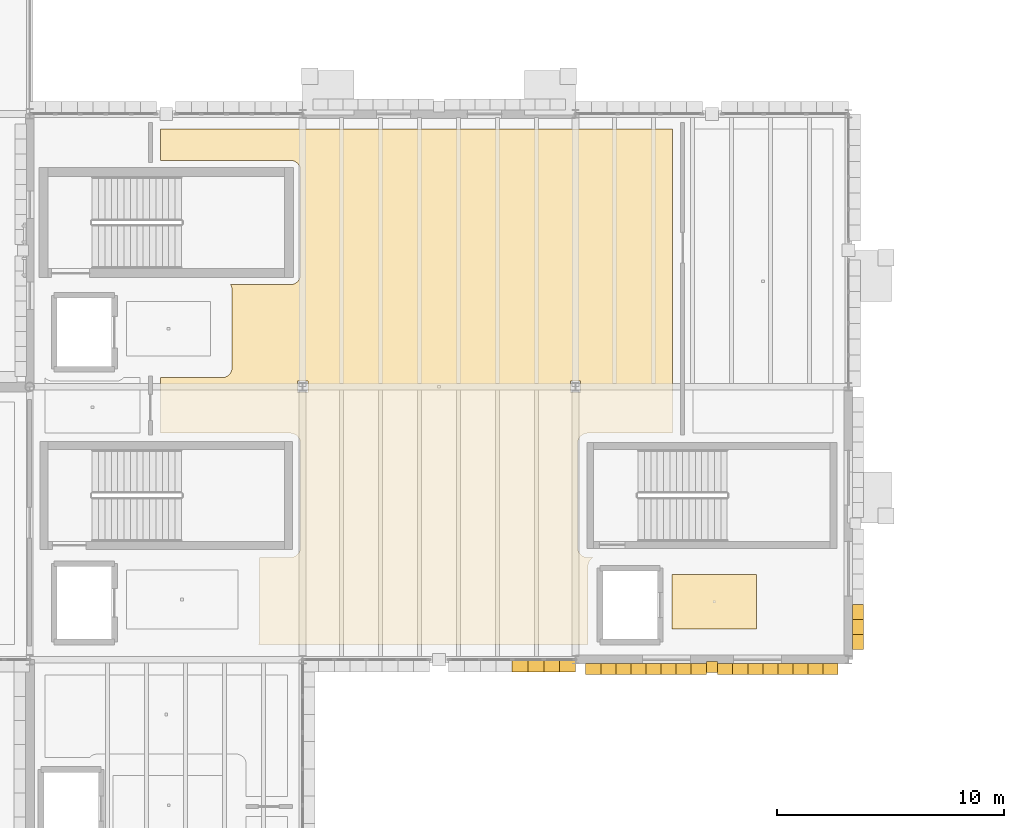
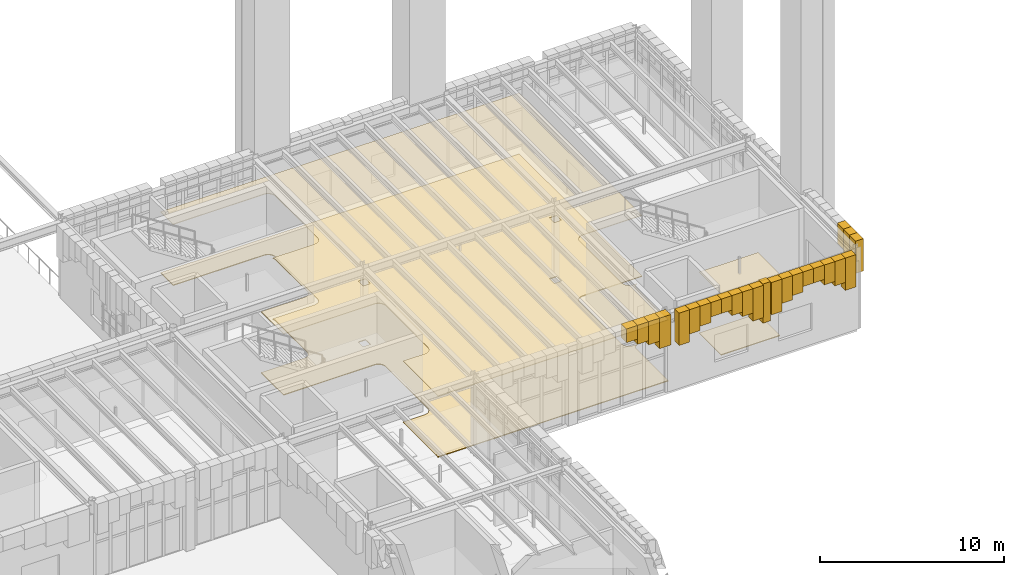
# One storey, part 98 of 103: 28 coverings.
"""IFC4 building model written with IfcOpenShell, lengths in metres."""

from ifc_helpers import new_model, si_unit, direction, frame, origin, place, context, subcontext, project, spatial, polyline, outline, extrude, material, layer, layer_set, type_object, element, save


model = new_model("IFC4")

# Units and contexts
model_context = context("Model", 3, precision=1e-05, world=origin(), true_north=direction((0.0, 1.0)))
body_context = subcontext(model_context, "Body", "Model", "MODEL_VIEW")
ifc_project = project(units=[si_unit("LENGTHUNIT", "METRE"), si_unit("AREAUNIT", "SQUARE_METRE"), si_unit("VOLUMEUNIT", "CUBIC_METRE"), si_unit("PLANEANGLEUNIT", "RADIAN"), si_unit("MASSUNIT", "GRAM", prefix="KILO")], contexts=[model_context])

# Site, building, storey
site_placement = place(None, origin())
site = spatial("IfcSite", under=ifc_project, at=site_placement, CompositionType="ELEMENT")
building_placement = place(site_placement, origin())
building = spatial("IfcBuilding", under=site, at=building_placement, Name="Zlatogorsky Bluff Art Gallery", CompositionType="ELEMENT")
storey_placement = place(building_placement, origin())
storey = spatial("IfcBuildingStorey", under=building, at=storey_placement, Name="L00", CompositionType="ELEMENT", Elevation=0.0)

# Coverings
ifc_material_1 = material(Name="Perforated Gypsum Acoustic Board", Category="gypsum")
ifc_layer_1 = layer(ifc_material_1, 0.0400390625)
ifc_layer_set_1 = layer_set([ifc_layer_1], Name="Acoustic Gallery Ceiling CLG-01")
covering_type_1 = type_object("IfcCoveringType", Name="Acoustic Gallery Ceiling CLG-01", PredefinedType="CEILING", material=ifc_layer_set_1)
covering_1_placement = place(storey_placement, frame((0.0, 0.0, 4.050048828125)))
element("IfcCovering", 1, at=covering_1_placement, inside=storey, type_object=covering_type_1, Name="Lift Lobby PL-2 acoustic ceiling", PredefinedType="CEILING", context=body_context, shape_type="SweptSolid", body=[
    extrude(outline(polyline([(151.949951171875, 87.75), (151.949951171875, 85.35009765625), (148.25, 85.35009765625), (148.25, 87.75), (151.949951171875, 87.75)])), origin(), (0.0, 0.0, 1.0), 0.0400390625),
])
covering_2_placement = place(storey_placement, frame((0.0, 0.0, 4.050048828125)))
element("IfcCovering", 2, at=covering_2_placement, inside=storey, type_object=covering_type_1, Name="Courtyard Artists' Studios acoustic ceiling", PredefinedType="CEILING", context=body_context, shape_type="SweptSolid", body=[
    extrude(outline(polyline([(130.065673828125, 84.677734375), (130.08056640625, 84.719482421875), (130.09130859375, 84.76220703125), (130.097900390625, 84.805908203125), (130.10009765625, 84.85009765625), (130.10009765625, 88.449951171875), (130.097900390625, 88.489990234375), (131.450927734375, 88.489990234375), (131.495361328125, 88.4921875), (131.539306640625, 88.498779296875), (131.540283203125, 88.498779296875), (131.549560546875, 88.5009765625), (131.550537109375, 88.501220703125), (131.59375, 88.512939453125), (131.6357421875, 88.529296875), (131.637451171875, 88.530029296875), (131.673095703125, 88.5478515625), (131.674072265625, 88.54833984375), (131.706298828125, 88.568115234375), (131.73681640625, 88.59033203125), (131.73828125, 88.591552734375), (131.775390625, 88.624755859375), (131.80859375, 88.661865234375), (131.809814453125, 88.663330078125), (131.83203125, 88.693603515625), (131.851806640625, 88.725830078125), (131.852294921875, 88.726806640625), (131.8701171875, 88.762451171875), (131.870361328125, 88.763427734375), (131.870849609375, 88.764404296875), (131.886962890625, 88.80615234375), (131.89892578125, 88.849609375), (131.899169921875, 88.850341796875), (131.901123046875, 88.859619140625), (131.9013671875, 88.860595703125), (131.90771484375, 88.90478515625), (131.909912109375, 88.948974609375), (131.909912109375, 93.5009765625), (131.90771484375, 93.54541015625), (131.9013671875, 93.58935546875), (131.901123046875, 93.59033203125), (131.899169921875, 93.599609375), (131.89892578125, 93.6005859375), (131.886962890625, 93.643798828125), (131.870849609375, 93.685791015625), (131.870361328125, 93.6865234375), (131.8701171875, 93.6875), (131.852294921875, 93.72314453125), (131.851806640625, 93.72412109375), (131.83203125, 93.75634765625), (131.809814453125, 93.78662109375), (131.80859375, 93.7880859375), (131.775390625, 93.8251953125), (131.73828125, 93.8583984375), (131.73681640625, 93.859619140625), (131.706298828125, 93.882080078125), (131.674072265625, 93.901611328125), (131.673095703125, 93.902099609375), (131.637451171875, 93.919921875), (131.63671875, 93.92041015625), (131.6357421875, 93.9208984375), (131.59375, 93.93701171875), (131.550537109375, 93.948974609375), (131.549560546875, 93.94921875), (131.540283203125, 93.951171875), (131.539306640625, 93.951416015625), (131.495361328125, 93.957763671875), (131.450927734375, 93.9599609375), (125.7548828125, 93.9599609375), (125.7548828125, 96.39990234375), (128.449951171875, 96.39990234375), (128.494140625, 96.402099609375), (128.537841796875, 96.40869140625), (128.58056640625, 96.41943359375), (128.622314453125, 96.434326171875), (128.662109375, 96.453125), (128.699951171875, 96.475830078125), (128.735595703125, 96.502197265625), (128.768310546875, 96.53173828125), (128.7978515625, 96.564453125), (128.82421875, 96.60009765625), (128.846923828125, 96.637939453125), (128.86572265625, 96.677734375), (128.880615234375, 96.719482421875), (128.891357421875, 96.76220703125), (128.897705078125, 96.805908203125), (128.89990234375, 96.85009765625), (128.89990234375, 100.25), (128.897705078125, 100.294189453125), (128.891357421875, 100.337890625), (128.880615234375, 100.380615234375), (128.86572265625, 100.422119140625), (128.846923828125, 100.462158203125), (128.830078125, 100.489990234375), (131.450927734375, 100.489990234375), (131.495361328125, 100.4921875), (131.539306640625, 100.498779296875), (131.540283203125, 100.498779296875), (131.549560546875, 100.5009765625), (131.550537109375, 100.501220703125), (131.59375, 100.512939453125), (131.6357421875, 100.529296875), (131.637451171875, 100.530029296875), (131.673095703125, 100.5478515625), (131.674072265625, 100.54833984375), (131.706298828125, 100.568115234375), (131.73681640625, 100.59033203125), (131.73828125, 100.591552734375), (131.775390625, 100.624755859375), (131.80859375, 100.661865234375), (131.809814453125, 100.663330078125), (131.83203125, 100.693603515625), (131.851806640625, 100.725830078125), (131.852294921875, 100.726806640625), (131.8701171875, 100.762451171875), (131.870361328125, 100.763427734375), (131.870849609375, 100.764404296875), (131.886962890625, 100.80615234375), (131.89892578125, 100.849609375), (131.899169921875, 100.850341796875), (131.901123046875, 100.859619140625), (131.9013671875, 100.860595703125), (131.90771484375, 100.90478515625), (131.909912109375, 100.948974609375), (131.909912109375, 105.5009765625), (131.90771484375, 105.54541015625), (131.9013671875, 105.58935546875), (131.901123046875, 105.59033203125), (131.899169921875, 105.599609375), (131.89892578125, 105.6005859375), (131.886962890625, 105.643798828125), (131.870849609375, 105.685791015625), (131.870361328125, 105.6865234375), (131.8701171875, 105.6875), (131.852294921875, 105.72314453125), (131.851806640625, 105.72412109375), (131.83203125, 105.75634765625), (131.809814453125, 105.78662109375), (131.80859375, 105.7880859375), (131.775390625, 105.8251953125), (131.73828125, 105.8583984375), (131.73681640625, 105.859619140625), (131.706298828125, 105.882080078125), (131.674072265625, 105.901611328125), (131.673095703125, 105.902099609375), (131.637451171875, 105.919921875), (131.63671875, 105.92041015625), (131.6357421875, 105.9208984375), (131.59375, 105.93701171875), (131.550537109375, 105.948974609375), (131.549560546875, 105.94921875), (131.540283203125, 105.951171875), (131.539306640625, 105.951416015625), (131.495361328125, 105.957763671875), (131.450927734375, 105.9599609375), (125.7548828125, 105.9599609375), (125.7548828125, 107.330078125), (148.2607421875, 107.330078125), (148.2607421875, 93.9599609375), (144.549072265625, 93.9599609375), (144.504638671875, 93.957763671875), (144.460693359375, 93.951416015625), (144.459716796875, 93.951171875), (144.450439453125, 93.94921875), (144.449462890625, 93.948974609375), (144.40625, 93.93701171875), (144.3642578125, 93.9208984375), (144.36328125, 93.92041015625), (144.362548828125, 93.919921875), (144.326904296875, 93.902099609375), (144.325927734375, 93.901611328125), (144.293701171875, 93.882080078125), (144.26318359375, 93.859619140625), (144.26171875, 93.8583984375), (144.224609375, 93.8251953125), (144.19140625, 93.7880859375), (144.190185546875, 93.78662109375), (144.16796875, 93.75634765625), (144.148193359375, 93.72412109375), (144.147705078125, 93.72314453125), (144.1298828125, 93.6875), (144.129638671875, 93.6865234375), (144.129150390625, 93.685791015625), (144.113037109375, 93.643798828125), (144.10107421875, 93.6005859375), (144.100830078125, 93.599609375), (144.098876953125, 93.59033203125), (144.0986328125, 93.58935546875), (144.09228515625, 93.54541015625), (144.090087890625, 93.5009765625), (144.090087890625, 88.948974609375), (144.09228515625, 88.90478515625), (144.0986328125, 88.860595703125), (144.098876953125, 88.859619140625), (144.100830078125, 88.850341796875), (144.10107421875, 88.849609375), (144.113037109375, 88.80615234375), (144.129150390625, 88.764404296875), (144.129638671875, 88.763427734375), (144.1298828125, 88.762451171875), (144.147705078125, 88.726806640625), (144.148193359375, 88.725830078125), (144.16796875, 88.693603515625), (144.190185546875, 88.663330078125), (144.19140625, 88.661865234375), (144.224609375, 88.624755859375), (144.26171875, 88.591552734375), (144.26318359375, 88.59033203125), (144.293701171875, 88.568115234375), (144.325927734375, 88.54833984375), (144.326904296875, 88.5478515625), (144.362548828125, 88.530029296875), (144.3642578125, 88.529296875), (144.40625, 88.512939453125), (144.449462890625, 88.501220703125), (144.450439453125, 88.5009765625), (144.459716796875, 88.498779296875), (144.460693359375, 88.498779296875), (144.504638671875, 88.4921875), (144.549072265625, 88.489990234375), (144.7763671875, 88.489990234375), (144.75, 88.47412109375), (144.714599609375, 88.447998046875), (144.681884765625, 88.418212890625), (144.652099609375, 88.385498046875), (144.625732421875, 88.35009765625), (144.60302734375, 88.31201171875), (144.584228515625, 88.272216796875), (144.5693359375, 88.230712890625), (144.55859375, 88.187744140625), (144.55224609375, 88.14404296875), (144.550048828125, 88.10009765625), (144.550048828125, 84.699951171875), (144.551513671875, 84.669921875), (130.06201171875, 84.669921875), (130.065673828125, 84.677734375)]), holes=[polyline([(143.77001953125, 95.739990234375), (144.22998046875, 95.739990234375), (144.22998046875, 96.260009765625), (143.77001953125, 96.260009765625), (143.77001953125, 95.739990234375)]), polyline([(131.77001953125, 96.260009765625), (131.77001953125, 95.739990234375), (132.22998046875, 95.739990234375), (132.22998046875, 96.260009765625), (131.77001953125, 96.260009765625)])]), origin(), (0.0, 0.0, 1.0), 0.0400390625),
])
ifc_material_2 = material(Name="Honed Red Agra-Tone Quartzitic Sandstone", Category="masonry")
ifc_layer_2 = layer(ifc_material_2, 0.1201171875)
ifc_layer_set_2 = layer_set([ifc_layer_2], Name="Carved Sandstone Cladding CLD-02")
covering_type_2 = type_object("IfcCoveringType", Name="Carved Sandstone Cladding CLD-02", PredefinedType="CLADDING", material=ifc_layer_set_2)
covering_3_placement = place(storey_placement, frame((0.0, 0.0, 4.45458984375)))
element("IfcCovering", 3, at=covering_3_placement, inside=storey, type_object=covering_type_2, Name="Pointed Mughal arch voussoir spandrel ARCH-CW-L00-S-11-08-B.5", PredefinedType="CLADDING", context=body_context, shape_type="SweptSolid", body=[
    extrude(outline(polyline([(141.2099609375, 83.4599609375), (141.907470703125, 83.4599609375), (141.907470703125, 84.030029296875), (141.2099609375, 84.030029296875), (141.2099609375, 83.4599609375)])), origin(), (0.0, 0.0, 1.0), 0.905517578125),
])
covering_4_placement = place(storey_placement, frame((0.0, 0.0, 4.1064453125)))
element("IfcCovering", 4, at=covering_4_placement, inside=storey, type_object=covering_type_2, Name="Pointed Mughal arch voussoir spandrel ARCH-CW-L00-S-11-08-B.6", PredefinedType="CLADDING", context=body_context, shape_type="SweptSolid", body=[
    extrude(outline(polyline([(141.907470703125, 83.4599609375), (142.60498046875, 83.4599609375), (142.60498046875, 84.030029296875), (141.907470703125, 84.030029296875), (141.907470703125, 83.4599609375)])), origin(), (0.0, 0.0, 1.0), 1.253662109375),
])
covering_5_placement = place(storey_placement, frame((0.0, 0.0, 3.82958984375)))
element("IfcCovering", 5, at=covering_5_placement, inside=storey, type_object=covering_type_2, Name="Pointed Mughal arch voussoir spandrel ARCH-CW-L00-S-11-08-B.7", PredefinedType="CLADDING", context=body_context, shape_type="SweptSolid", body=[
    extrude(outline(polyline([(142.60498046875, 83.4599609375), (143.302490234375, 83.4599609375), (143.302490234375, 84.030029296875), (142.60498046875, 84.030029296875), (142.60498046875, 83.4599609375)])), origin(), (0.0, 0.0, 1.0), 1.530517578125),
])
covering_6_placement = place(storey_placement, frame((0.0, 0.0, 3.327880859375)))
element("IfcCovering", 6, at=covering_6_placement, inside=storey, type_object=covering_type_2, Name="Pointed Mughal arch voussoir spandrel ARCH-CW-L00-S-11-08-B.8", PredefinedType="CLADDING", context=body_context, shape_type="SweptSolid", body=[
    extrude(outline(polyline([(143.302490234375, 83.4599609375), (144.0, 83.4599609375), (144.0, 84.030029296875), (143.302490234375, 84.030029296875), (143.302490234375, 83.4599609375)])), origin(), (0.0, 0.0, 1.0), 2.0322265625),
])
covering_7_placement = place(storey_placement, frame((0.0, 0.0, 2.77001953125)))
element("IfcCovering", 7, at=covering_7_placement, inside=storey, type_object=covering_type_2, Name="Mughal blind-arch sandstone pilaster L00.S.12.8", PredefinedType="CLADDING", context=body_context, shape_type="SweptSolid", body=[
    extrude(outline(polyline([(149.760009765625, 83.43994140625), (150.239990234375, 83.43994140625), (150.239990234375, 83.919921875), (149.760009765625, 83.919921875), (149.760009765625, 83.43994140625)])), origin(), (0.0, 0.0, 1.0), 2.590087890625),
])
covering_8_placement = place(storey_placement, frame((0.0, 0.0, 3.21240234375)))
element("IfcCovering", 8, at=covering_8_placement, inside=storey, type_object=covering_type_2, Name="Pointed Mughal arch voussoir spandrel WARCH-L00-S-12-08-A.1", PredefinedType="CLADDING", context=body_context, shape_type="SweptSolid", body=[
    extrude(outline(polyline([(144.449951171875, 83.340087890625), (145.112548828125, 83.340087890625), (145.112548828125, 83.830078125), (144.449951171875, 83.830078125), (144.449951171875, 83.340087890625)])), origin(), (0.0, 0.0, 1.0), 2.147705078125),
])
covering_9_placement = place(storey_placement, frame((0.0, 0.0, 3.743896484375)))
element("IfcCovering", 9, at=covering_9_placement, inside=storey, type_object=covering_type_2, Name="Pointed Mughal arch voussoir spandrel WARCH-L00-S-12-08-A.2", PredefinedType="CLADDING", context=body_context, shape_type="SweptSolid", body=[
    extrude(outline(polyline([(145.112548828125, 83.340087890625), (145.77490234375, 83.340087890625), (145.77490234375, 83.830078125), (145.112548828125, 83.830078125), (145.112548828125, 83.340087890625)])), origin(), (0.0, 0.0, 1.0), 1.6162109375),
])
covering_10_placement = place(storey_placement, frame((0.0, 0.0, 4.03662109375)))
element("IfcCovering", 10, at=covering_10_placement, inside=storey, type_object=covering_type_2, Name="Pointed Mughal arch voussoir spandrel WARCH-L00-S-12-08-A.3", PredefinedType="CLADDING", context=body_context, shape_type="SweptSolid", body=[
    extrude(outline(polyline([(145.77490234375, 83.340087890625), (146.4375, 83.340087890625), (146.4375, 83.830078125), (145.77490234375, 83.830078125), (145.77490234375, 83.340087890625)])), origin(), (0.0, 0.0, 1.0), 1.323486328125),
])
covering_11_placement = place(storey_placement, frame((0.0, 0.0, 4.405517578125)))
element("IfcCovering", 11, at=covering_11_placement, inside=storey, type_object=covering_type_2, Name="Pointed Mughal arch voussoir spandrel WARCH-L00-S-12-08-A.4", PredefinedType="CLADDING", context=body_context, shape_type="SweptSolid", body=[
    extrude(outline(polyline([(146.4375, 83.340087890625), (147.10009765625, 83.340087890625), (147.10009765625, 83.830078125), (146.4375, 83.830078125), (146.4375, 83.340087890625)])), origin(), (0.0, 0.0, 1.0), 0.95458984375),
])
covering_12_placement = place(storey_placement, frame((0.0, 0.0, 4.405517578125)))
element("IfcCovering", 12, at=covering_12_placement, inside=storey, type_object=covering_type_2, Name="Pointed Mughal arch voussoir spandrel WARCH-L00-S-12-08-A.5", PredefinedType="CLADDING", context=body_context, shape_type="SweptSolid", body=[
    extrude(outline(polyline([(147.10009765625, 83.340087890625), (147.762451171875, 83.340087890625), (147.762451171875, 83.830078125), (147.10009765625, 83.830078125), (147.10009765625, 83.340087890625)])), origin(), (0.0, 0.0, 1.0), 0.95458984375),
])
covering_13_placement = place(storey_placement, frame((0.0, 0.0, 4.03662109375)))
element("IfcCovering", 13, at=covering_13_placement, inside=storey, type_object=covering_type_2, Name="Pointed Mughal arch voussoir spandrel WARCH-L00-S-12-08-A.6", PredefinedType="CLADDING", context=body_context, shape_type="SweptSolid", body=[
    extrude(outline(polyline([(147.762451171875, 83.340087890625), (148.425048828125, 83.340087890625), (148.425048828125, 83.830078125), (147.762451171875, 83.830078125), (147.762451171875, 83.340087890625)])), origin(), (0.0, 0.0, 1.0), 1.323486328125),
])
covering_14_placement = place(storey_placement, frame((0.0, 0.0, 3.743896484375)))
element("IfcCovering", 14, at=covering_14_placement, inside=storey, type_object=covering_type_2, Name="Pointed Mughal arch voussoir spandrel WARCH-L00-S-12-08-A.7", PredefinedType="CLADDING", context=body_context, shape_type="SweptSolid", body=[
    extrude(outline(polyline([(148.425048828125, 83.340087890625), (149.08740234375, 83.340087890625), (149.08740234375, 83.830078125), (148.425048828125, 83.830078125), (148.425048828125, 83.340087890625)])), origin(), (0.0, 0.0, 1.0), 1.6162109375),
])
covering_15_placement = place(storey_placement, frame((0.0, 0.0, 3.21240234375)))
element("IfcCovering", 15, at=covering_15_placement, inside=storey, type_object=covering_type_2, Name="Pointed Mughal arch voussoir spandrel WARCH-L00-S-12-08-A.8", PredefinedType="CLADDING", context=body_context, shape_type="SweptSolid", body=[
    extrude(outline(polyline([(149.08740234375, 83.340087890625), (149.75, 83.340087890625), (149.75, 83.830078125), (149.08740234375, 83.830078125), (149.08740234375, 83.340087890625)])), origin(), (0.0, 0.0, 1.0), 2.147705078125),
])
covering_16_placement = place(storey_placement, frame((0.0, 0.0, 3.21240234375)))
element("IfcCovering", 16, at=covering_16_placement, inside=storey, type_object=covering_type_2, Name="Pointed Mughal arch voussoir spandrel WARCH-L00-S-12-08-B.1", PredefinedType="CLADDING", context=body_context, shape_type="SweptSolid", body=[
    extrude(outline(polyline([(150.25, 83.340087890625), (150.91259765625, 83.340087890625), (150.91259765625, 83.830078125), (150.25, 83.830078125), (150.25, 83.340087890625)])), origin(), (0.0, 0.0, 1.0), 2.147705078125),
])
covering_17_placement = place(storey_placement, frame((0.0, 0.0, 3.743896484375)))
element("IfcCovering", 17, at=covering_17_placement, inside=storey, type_object=covering_type_2, Name="Pointed Mughal arch voussoir spandrel WARCH-L00-S-12-08-B.2", PredefinedType="CLADDING", context=body_context, shape_type="SweptSolid", body=[
    extrude(outline(polyline([(150.91259765625, 83.340087890625), (151.574951171875, 83.340087890625), (151.574951171875, 83.830078125), (150.91259765625, 83.830078125), (150.91259765625, 83.340087890625)])), origin(), (0.0, 0.0, 1.0), 1.6162109375),
])
covering_18_placement = place(storey_placement, frame((0.0, 0.0, 4.03662109375)))
element("IfcCovering", 18, at=covering_18_placement, inside=storey, type_object=covering_type_2, Name="Pointed Mughal arch voussoir spandrel WARCH-L00-S-12-08-B.3", PredefinedType="CLADDING", context=body_context, shape_type="SweptSolid", body=[
    extrude(outline(polyline([(151.574951171875, 83.340087890625), (152.237548828125, 83.340087890625), (152.237548828125, 83.830078125), (151.574951171875, 83.830078125), (151.574951171875, 83.340087890625)])), origin(), (0.0, 0.0, 1.0), 1.323486328125),
])
covering_19_placement = place(storey_placement, frame((0.0, 0.0, 4.405517578125)))
element("IfcCovering", 19, at=covering_19_placement, inside=storey, type_object=covering_type_2, Name="Pointed Mughal arch voussoir spandrel WARCH-L00-S-12-08-B.4", PredefinedType="CLADDING", context=body_context, shape_type="SweptSolid", body=[
    extrude(outline(polyline([(152.237548828125, 83.340087890625), (152.89990234375, 83.340087890625), (152.89990234375, 83.830078125), (152.237548828125, 83.830078125), (152.237548828125, 83.340087890625)])), origin(), (0.0, 0.0, 1.0), 0.95458984375),
])
covering_20_placement = place(storey_placement, frame((0.0, 0.0, 4.405517578125)))
element("IfcCovering", 20, at=covering_20_placement, inside=storey, type_object=covering_type_2, Name="Pointed Mughal arch voussoir spandrel WARCH-L00-S-12-08-B.5", PredefinedType="CLADDING", context=body_context, shape_type="SweptSolid", body=[
    extrude(outline(polyline([(152.89990234375, 83.340087890625), (153.5625, 83.340087890625), (153.5625, 83.830078125), (152.89990234375, 83.830078125), (152.89990234375, 83.340087890625)])), origin(), (0.0, 0.0, 1.0), 0.95458984375),
])
covering_21_placement = place(storey_placement, frame((0.0, 0.0, 4.03662109375)))
element("IfcCovering", 21, at=covering_21_placement, inside=storey, type_object=covering_type_2, Name="Pointed Mughal arch voussoir spandrel WARCH-L00-S-12-08-B.6", PredefinedType="CLADDING", context=body_context, shape_type="SweptSolid", body=[
    extrude(outline(polyline([(153.5625, 83.340087890625), (154.22509765625, 83.340087890625), (154.22509765625, 83.830078125), (153.5625, 83.830078125), (153.5625, 83.340087890625)])), origin(), (0.0, 0.0, 1.0), 1.323486328125),
])
covering_22_placement = place(storey_placement, frame((0.0, 0.0, 3.743896484375)))
element("IfcCovering", 22, at=covering_22_placement, inside=storey, type_object=covering_type_2, Name="Pointed Mughal arch voussoir spandrel WARCH-L00-S-12-08-B.7", PredefinedType="CLADDING", context=body_context, shape_type="SweptSolid", body=[
    extrude(outline(polyline([(154.22509765625, 83.340087890625), (154.887451171875, 83.340087890625), (154.887451171875, 83.830078125), (154.22509765625, 83.830078125), (154.22509765625, 83.340087890625)])), origin(), (0.0, 0.0, 1.0), 1.6162109375),
])
covering_23_placement = place(storey_placement, frame((0.0, 0.0, 3.21240234375)))
element("IfcCovering", 23, at=covering_23_placement, inside=storey, type_object=covering_type_2, Name="Pointed Mughal arch voussoir spandrel WARCH-L00-S-12-08-B.8", PredefinedType="CLADDING", context=body_context, shape_type="SweptSolid", body=[
    extrude(outline(polyline([(154.887451171875, 83.340087890625), (155.550048828125, 83.340087890625), (155.550048828125, 83.830078125), (154.887451171875, 83.830078125), (154.887451171875, 83.340087890625)])), origin(), (0.0, 0.0, 1.0), 2.147705078125),
])
covering_24_placement = place(storey_placement, frame((0.0, 0.0, 3.21240234375)))
element("IfcCovering", 24, at=covering_24_placement, inside=storey, type_object=covering_type_2, Name="Pointed Mughal arch voussoir spandrel WARCH-L00-E-12-08-A.1", PredefinedType="CLADDING", context=body_context, shape_type="SweptSolid", body=[
    extrude(outline(polyline([(156.169921875, 84.449951171875), (156.169921875, 85.112548828125), (156.659912109375, 85.112548828125), (156.659912109375, 84.449951171875), (156.169921875, 84.449951171875)])), origin(), (0.0, 0.0, 1.0), 2.147705078125),
])
covering_25_placement = place(storey_placement, frame((0.0, 0.0, 3.743896484375)))
element("IfcCovering", 25, at=covering_25_placement, inside=storey, type_object=covering_type_2, Name="Pointed Mughal arch voussoir spandrel WARCH-L00-E-12-08-A.2", PredefinedType="CLADDING", context=body_context, shape_type="SweptSolid", body=[
    extrude(outline(polyline([(156.169921875, 85.112548828125), (156.169921875, 85.77490234375), (156.659912109375, 85.77490234375), (156.659912109375, 85.112548828125), (156.169921875, 85.112548828125)])), origin(), (0.0, 0.0, 1.0), 1.6162109375),
])
covering_26_placement = place(storey_placement, frame((0.0, 0.0, 4.03662109375)))
element("IfcCovering", 26, at=covering_26_placement, inside=storey, type_object=covering_type_2, Name="Pointed Mughal arch voussoir spandrel WARCH-L00-E-12-08-A.3", PredefinedType="CLADDING", context=body_context, shape_type="SweptSolid", body=[
    extrude(outline(polyline([(156.169921875, 85.77490234375), (156.169921875, 86.4375), (156.659912109375, 86.4375), (156.659912109375, 85.77490234375), (156.169921875, 85.77490234375)])), origin(), (0.0, 0.0, 1.0), 1.323486328125),
])
ifc_material_3 = material(Name="Polished Ural Marble Terrazzo", Category="masonry")
ifc_layer_3 = layer(ifc_material_3, 0.050048828125)
ifc_layer_set_3 = layer_set([ifc_layer_3], Name="Terrazzo Gallery Flooring FLR-01")
covering_type_3 = type_object("IfcCoveringType", Name="Terrazzo Gallery Flooring FLR-01", PredefinedType="FLOORING", material=ifc_layer_set_3)
covering_27_placement = place(storey_placement, origin())
element("IfcCovering", 27, at=covering_27_placement, inside=storey, type_object=covering_type_3, Name="Lift Lobby PL-2 terrazzo floor finish", PredefinedType="FLOORING", context=body_context, shape_type="SweptSolid", body=[
    extrude(outline(polyline([(151.949951171875, 87.75), (151.949951171875, 85.35009765625), (148.25, 85.35009765625), (148.25, 87.75), (151.949951171875, 87.75)])), origin(), (0.0, 0.0, 1.0), 0.050048828125),
])
covering_28_placement = place(storey_placement, origin())
element("IfcCovering", 28, at=covering_28_placement, inside=storey, type_object=covering_type_3, Name="Courtyard Artists' Studios terrazzo floor finish", PredefinedType="FLOORING", context=body_context, shape_type="SweptSolid", body=[
    extrude(outline(polyline([(130.065673828125, 84.677734375), (130.08056640625, 84.719482421875), (130.09130859375, 84.76220703125), (130.097900390625, 84.805908203125), (130.10009765625, 84.85009765625), (130.10009765625, 88.449951171875), (130.097900390625, 88.489990234375), (131.450927734375, 88.489990234375), (131.495361328125, 88.4921875), (131.539306640625, 88.498779296875), (131.540283203125, 88.498779296875), (131.549560546875, 88.5009765625), (131.550537109375, 88.501220703125), (131.59375, 88.512939453125), (131.6357421875, 88.529296875), (131.637451171875, 88.530029296875), (131.673095703125, 88.5478515625), (131.674072265625, 88.54833984375), (131.706298828125, 88.568115234375), (131.73681640625, 88.59033203125), (131.73828125, 88.591552734375), (131.775390625, 88.624755859375), (131.80859375, 88.661865234375), (131.809814453125, 88.663330078125), (131.83203125, 88.693603515625), (131.851806640625, 88.725830078125), (131.852294921875, 88.726806640625), (131.8701171875, 88.762451171875), (131.870361328125, 88.763427734375), (131.870849609375, 88.764404296875), (131.886962890625, 88.80615234375), (131.89892578125, 88.849609375), (131.899169921875, 88.850341796875), (131.901123046875, 88.859619140625), (131.9013671875, 88.860595703125), (131.90771484375, 88.90478515625), (131.909912109375, 88.948974609375), (131.909912109375, 93.5009765625), (131.90771484375, 93.54541015625), (131.9013671875, 93.58935546875), (131.901123046875, 93.59033203125), (131.899169921875, 93.599609375), (131.89892578125, 93.6005859375), (131.886962890625, 93.643798828125), (131.870849609375, 93.685791015625), (131.870361328125, 93.6865234375), (131.8701171875, 93.6875), (131.852294921875, 93.72314453125), (131.851806640625, 93.72412109375), (131.83203125, 93.75634765625), (131.809814453125, 93.78662109375), (131.80859375, 93.7880859375), (131.775390625, 93.8251953125), (131.73828125, 93.8583984375), (131.73681640625, 93.859619140625), (131.706298828125, 93.882080078125), (131.674072265625, 93.901611328125), (131.673095703125, 93.902099609375), (131.637451171875, 93.919921875), (131.63671875, 93.92041015625), (131.6357421875, 93.9208984375), (131.59375, 93.93701171875), (131.550537109375, 93.948974609375), (131.549560546875, 93.94921875), (131.540283203125, 93.951171875), (131.539306640625, 93.951416015625), (131.495361328125, 93.957763671875), (131.450927734375, 93.9599609375), (125.7548828125, 93.9599609375), (125.7548828125, 96.39990234375), (128.449951171875, 96.39990234375), (128.494140625, 96.402099609375), (128.537841796875, 96.40869140625), (128.58056640625, 96.41943359375), (128.622314453125, 96.434326171875), (128.662109375, 96.453125), (128.699951171875, 96.475830078125), (128.735595703125, 96.502197265625), (128.768310546875, 96.53173828125), (128.7978515625, 96.564453125), (128.82421875, 96.60009765625), (128.846923828125, 96.637939453125), (128.86572265625, 96.677734375), (128.880615234375, 96.719482421875), (128.891357421875, 96.76220703125), (128.897705078125, 96.805908203125), (128.89990234375, 96.85009765625), (128.89990234375, 100.25), (128.897705078125, 100.294189453125), (128.891357421875, 100.337890625), (128.880615234375, 100.380615234375), (128.86572265625, 100.422119140625), (128.846923828125, 100.462158203125), (128.830078125, 100.489990234375), (131.450927734375, 100.489990234375), (131.495361328125, 100.4921875), (131.539306640625, 100.498779296875), (131.540283203125, 100.498779296875), (131.549560546875, 100.5009765625), (131.550537109375, 100.501220703125), (131.59375, 100.512939453125), (131.6357421875, 100.529296875), (131.637451171875, 100.530029296875), (131.673095703125, 100.5478515625), (131.674072265625, 100.54833984375), (131.706298828125, 100.568115234375), (131.73681640625, 100.59033203125), (131.73828125, 100.591552734375), (131.775390625, 100.624755859375), (131.80859375, 100.661865234375), (131.809814453125, 100.663330078125), (131.83203125, 100.693603515625), (131.851806640625, 100.725830078125), (131.852294921875, 100.726806640625), (131.8701171875, 100.762451171875), (131.870361328125, 100.763427734375), (131.870849609375, 100.764404296875), (131.886962890625, 100.80615234375), (131.89892578125, 100.849609375), (131.899169921875, 100.850341796875), (131.901123046875, 100.859619140625), (131.9013671875, 100.860595703125), (131.90771484375, 100.90478515625), (131.909912109375, 100.948974609375), (131.909912109375, 105.5009765625), (131.90771484375, 105.54541015625), (131.9013671875, 105.58935546875), (131.901123046875, 105.59033203125), (131.899169921875, 105.599609375), (131.89892578125, 105.6005859375), (131.886962890625, 105.643798828125), (131.870849609375, 105.685791015625), (131.870361328125, 105.6865234375), (131.8701171875, 105.6875), (131.852294921875, 105.72314453125), (131.851806640625, 105.72412109375), (131.83203125, 105.75634765625), (131.809814453125, 105.78662109375), (131.80859375, 105.7880859375), (131.775390625, 105.8251953125), (131.73828125, 105.8583984375), (131.73681640625, 105.859619140625), (131.706298828125, 105.882080078125), (131.674072265625, 105.901611328125), (131.673095703125, 105.902099609375), (131.637451171875, 105.919921875), (131.63671875, 105.92041015625), (131.6357421875, 105.9208984375), (131.59375, 105.93701171875), (131.550537109375, 105.948974609375), (131.549560546875, 105.94921875), (131.540283203125, 105.951171875), (131.539306640625, 105.951416015625), (131.495361328125, 105.957763671875), (131.450927734375, 105.9599609375), (125.7548828125, 105.9599609375), (125.7548828125, 107.330078125), (148.2607421875, 107.330078125), (148.2607421875, 93.9599609375), (144.549072265625, 93.9599609375), (144.504638671875, 93.957763671875), (144.460693359375, 93.951416015625), (144.459716796875, 93.951171875), (144.450439453125, 93.94921875), (144.449462890625, 93.948974609375), (144.40625, 93.93701171875), (144.3642578125, 93.9208984375), (144.36328125, 93.92041015625), (144.362548828125, 93.919921875), (144.326904296875, 93.902099609375), (144.325927734375, 93.901611328125), (144.293701171875, 93.882080078125), (144.26318359375, 93.859619140625), (144.26171875, 93.8583984375), (144.224609375, 93.8251953125), (144.19140625, 93.7880859375), (144.190185546875, 93.78662109375), (144.16796875, 93.75634765625), (144.148193359375, 93.72412109375), (144.147705078125, 93.72314453125), (144.1298828125, 93.6875), (144.129638671875, 93.6865234375), (144.129150390625, 93.685791015625), (144.113037109375, 93.643798828125), (144.10107421875, 93.6005859375), (144.100830078125, 93.599609375), (144.098876953125, 93.59033203125), (144.0986328125, 93.58935546875), (144.09228515625, 93.54541015625), (144.090087890625, 93.5009765625), (144.090087890625, 88.948974609375), (144.09228515625, 88.90478515625), (144.0986328125, 88.860595703125), (144.098876953125, 88.859619140625), (144.100830078125, 88.850341796875), (144.10107421875, 88.849609375), (144.113037109375, 88.80615234375), (144.129150390625, 88.764404296875), (144.129638671875, 88.763427734375), (144.1298828125, 88.762451171875), (144.147705078125, 88.726806640625), (144.148193359375, 88.725830078125), (144.16796875, 88.693603515625), (144.190185546875, 88.663330078125), (144.19140625, 88.661865234375), (144.224609375, 88.624755859375), (144.26171875, 88.591552734375), (144.26318359375, 88.59033203125), (144.293701171875, 88.568115234375), (144.325927734375, 88.54833984375), (144.326904296875, 88.5478515625), (144.362548828125, 88.530029296875), (144.3642578125, 88.529296875), (144.40625, 88.512939453125), (144.449462890625, 88.501220703125), (144.450439453125, 88.5009765625), (144.459716796875, 88.498779296875), (144.460693359375, 88.498779296875), (144.504638671875, 88.4921875), (144.549072265625, 88.489990234375), (144.7763671875, 88.489990234375), (144.75, 88.47412109375), (144.714599609375, 88.447998046875), (144.681884765625, 88.418212890625), (144.652099609375, 88.385498046875), (144.625732421875, 88.35009765625), (144.60302734375, 88.31201171875), (144.584228515625, 88.272216796875), (144.5693359375, 88.230712890625), (144.55859375, 88.187744140625), (144.55224609375, 88.14404296875), (144.550048828125, 88.10009765625), (144.550048828125, 84.699951171875), (144.551513671875, 84.669921875), (130.06201171875, 84.669921875), (130.065673828125, 84.677734375)]), holes=[polyline([(143.77001953125, 95.739990234375), (144.22998046875, 95.739990234375), (144.22998046875, 96.260009765625), (143.77001953125, 96.260009765625), (143.77001953125, 95.739990234375)]), polyline([(131.77001953125, 96.260009765625), (131.77001953125, 95.739990234375), (132.22998046875, 95.739990234375), (132.22998046875, 96.260009765625), (131.77001953125, 96.260009765625)])]), origin(), (0.0, 0.0, 1.0), 0.050048828125),
])

save(model, "model.ifc")
